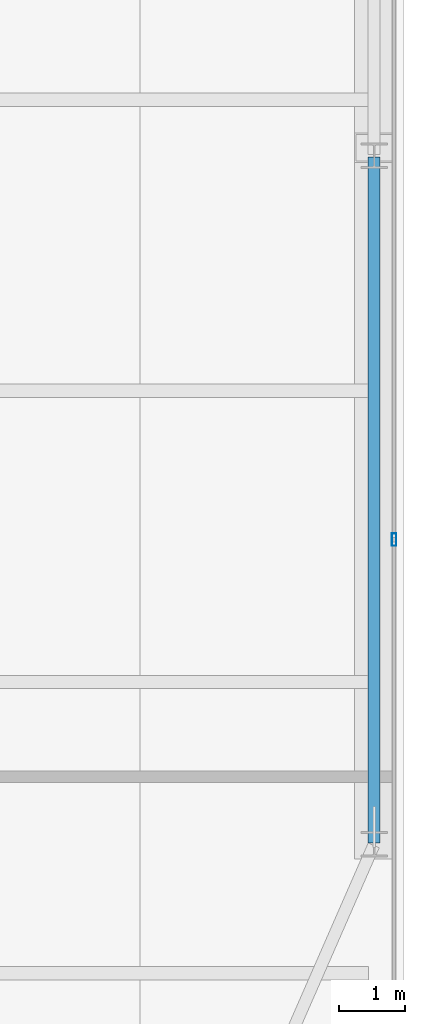
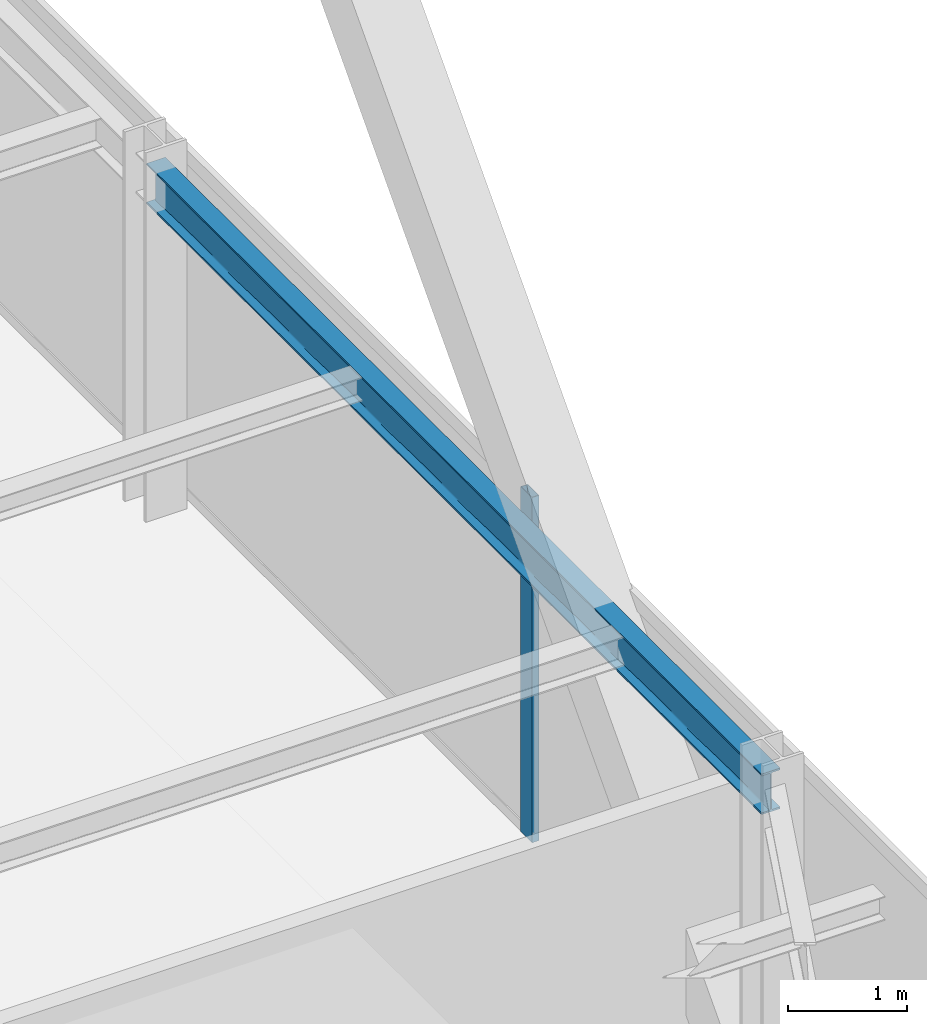
# One storey, part 20 of 38: 1 beam, 1 member, 1 element without a shape of its own.
"""IFC4 building model written with IfcOpenShell, lengths in metres."""

import ifcopenshell
import ifcopenshell.guid

model = None  # the IFC model being written
_history = None  # IfcOwnerHistory: only IFC2X3 demands one
_inside = {}  # id of a spatial element -> (the spatial element, [elements in it])
_under = {}  # id of a project, library or spatial element -> (it, [spatial elements below it])
_declared = {}  # id of a project -> (the project, [libraries it declares])
_typed = {}  # id of a type object -> (the type object, [elements of that type])
_made_of = {}  # id of a material, layer set ... -> (it, [elements and type objects made of it])


def new_model(schema):
    """Start an empty IFC model of exactly this schema.

    Asked for "IFC4X3", IfcOpenShell would pick the latest addendum, in which some entities
    have other attributes; the version numbers below select the first issue.
    IFC2X3 requires an IfcOwnerHistory on every rooted entity: one is made here for all.
    """
    global model, _history
    if schema == "IFC4X3":
        model = ifcopenshell.file(schema_version=(4, 3, 0, 0))
    else:
        model = ifcopenshell.file(schema=schema)
    _inside.clear()
    _under.clear()
    _declared.clear()
    _typed.clear()
    _made_of.clear()
    _history = None
    if model.schema == "IFC2X3":
        org = make("IfcOrganization", Name="unknown")
        user = make(
            "IfcPersonAndOrganization",
            ThePerson=make("IfcPerson", FamilyName="unknown"),
            TheOrganization=org,
        )
        app = make(
            "IfcApplication",
            ApplicationDeveloper=org,
            Version="unknown",
            ApplicationFullName="unknown",
            ApplicationIdentifier="unknown",
        )
        _history = make(
            "IfcOwnerHistory",
            OwningUser=user,
            OwningApplication=app,
            ChangeAction="ADDED",
            CreationDate=0,
        )
    return model


def make(cls, **values):
    """One entity of the class cls with the attributes given. An attribute that is None is left unset."""
    return model.create_entity(
        cls, **{name: value for name, value in values.items() if value is not None}
    )


def rooted(cls, **values):
    """An entity with a GlobalId (a new one), such as an element, a storey or a relation."""
    return make(cls, GlobalId=ifcopenshell.guid.new(), OwnerHistory=_history, **values)


def si_unit(unit_type, name, prefix=None):
    """IfcSIUnit, for example si_unit("LENGTHUNIT", "METRE", prefix="MILLI")."""
    return make("IfcSIUnit", UnitType=unit_type, Prefix=prefix, Name=name)


def assignment(units):
    """IfcUnitAssignment: the units of a project."""
    return None if units is None else make("IfcUnitAssignment", Units=units)


def point(xyz):
    """IfcCartesianPoint."""
    return None if xyz is None else make("IfcCartesianPoint", Coordinates=xyz)


def direction(xyz):
    """IfcDirection."""
    return None if xyz is None else make("IfcDirection", DirectionRatios=xyz)


def frame(location, z_axis=None, x_axis=None):
    """IfcAxis2Placement3D, a coordinate frame: its origin and axes. An axis left out is left unset."""
    return make(
        "IfcAxis2Placement3D",
        Location=point(location),
        Axis=direction(z_axis),
        RefDirection=direction(x_axis),
    )


def frame_2d(location, x_axis=None):
    """IfcAxis2Placement2D, a coordinate frame in the plane: its origin and x axis."""
    return make(
        "IfcAxis2Placement2D", Location=point(location), RefDirection=direction(x_axis)
    )


def origin():
    """The frame at (0, 0, 0) with its axes left unset."""
    return frame((0.0, 0.0, 0.0))


def origin_2d():
    """The frame at (0, 0) in the plane with its x axis left unset."""
    return frame_2d((0.0, 0.0))


def place(relative_to, where):
    """IfcLocalPlacement: puts the frame where relative to a parent placement (None: the world)."""
    return make(
        "IfcLocalPlacement", PlacementRelTo=relative_to, RelativePlacement=where
    )


def context(
    kind, dimensions, precision=None, world=None, true_north=None, identifier=None
):
    """IfcGeometricRepresentationContext, for example the 3D "Model" context."""
    return make(
        "IfcGeometricRepresentationContext",
        ContextIdentifier=identifier,
        ContextType=kind,
        CoordinateSpaceDimension=dimensions,
        Precision=precision,
        WorldCoordinateSystem=world,
        TrueNorth=true_north,
    )


def subcontext(parent, identifier, kind, view, scale=None):
    """IfcGeometricRepresentationSubContext, for example "Body" below "Model"."""
    return make(
        "IfcGeometricRepresentationSubContext",
        ContextIdentifier=identifier,
        ContextType=kind,
        ParentContext=parent,
        TargetScale=scale,
        TargetView=view,
    )


def project(units=None, contexts=None):
    """IfcProject with its units and contexts."""
    return rooted(
        "IfcProject",
        Name="project",
        RepresentationContexts=contexts,
        UnitsInContext=assignment(units),
    )


def spatial(cls, under=None, at=None, **own):
    """A site, building, storey or space (cls), placed at a placement, below another one or the project."""
    s = rooted(cls, ObjectPlacement=at, **own)
    if under is not None:
        _under.setdefault(under.id(), (under, []))[1].append(s)
    return s


def profile(cls, at=None, kind="AREA", **sizes):
    """A parametric profile (cls). Its sizes go by their IFC names, for example OverallWidth=200.0."""
    return make(cls, ProfileType=kind, Position=at, **sizes)


def hollow_rectangle(**sizes):
    """IfcRectangleHollowProfileDef."""
    return profile("IfcRectangleHollowProfileDef", **sizes)


def i_section(**sizes):
    """IfcIShapeProfileDef."""
    return profile("IfcIShapeProfileDef", **sizes)


def extrude(swept, where, along, depth):
    """IfcExtrudedAreaSolid: the profile swept, set in the frame where, extruded along a direction by depth."""
    return make(
        "IfcExtrudedAreaSolid",
        SweptArea=swept,
        Position=where,
        ExtrudedDirection=direction(along),
        Depth=depth,
    )


def shape(context_of_items, identifier, shape_type, items):
    """IfcShapeRepresentation: the items that make up one representation, for example the "Body"."""
    return make(
        "IfcShapeRepresentation",
        ContextOfItems=context_of_items,
        RepresentationIdentifier=identifier,
        RepresentationType=shape_type,
        Items=items,
    )


def source(mapping_origin, context_of_items, identifier, shape_type, items):
    """IfcRepresentationMap: a shape defined once, which mapped items show again and again."""
    return make(
        "IfcRepresentationMap",
        MappingOrigin=mapping_origin,
        MappedRepresentation=shape(context_of_items, identifier, shape_type, items),
    )


def transform(
    local_origin,
    x_axis=None,
    y_axis=None,
    z_axis=None,
    scale=None,
    scale2=None,
    scale3=None,
    uniform=True,
):
    """IfcCartesianTransformationOperator3D, or its non-uniform kind. x_axis, y_axis, z_axis: its Axis1, 2, 3."""
    if uniform:
        return make(
            "IfcCartesianTransformationOperator3D",
            Axis1=direction(x_axis),
            Axis2=direction(y_axis),
            LocalOrigin=point(local_origin),
            Scale=scale,
            Axis3=direction(z_axis),
        )
    return make(
        "IfcCartesianTransformationOperator3DnonUniform",
        Axis1=direction(x_axis),
        Axis2=direction(y_axis),
        LocalOrigin=point(local_origin),
        Scale=scale,
        Axis3=direction(z_axis),
        Scale2=scale2,
        Scale3=scale3,
    )


def mapped(mapping_source, mapping_target):
    """IfcMappedItem: shows the shape of a source again, moved by a transform."""
    return make(
        "IfcMappedItem", MappingSource=mapping_source, MappingTarget=mapping_target
    )


def material(Name=None, Category=None):
    """IfcMaterial."""
    return make("IfcMaterial", Name=Name, Category=Category)


def layer(
    of_material, thickness, ventilated=None, Name=None, Category=None, Priority=None
):
    """IfcMaterialLayer: one layer of a wall or slab, of a material (None: an air gap)."""
    return make(
        "IfcMaterialLayer",
        Material=of_material,
        LayerThickness=thickness,
        IsVentilated=ventilated,
        Name=Name,
        Category=Category,
        Priority=Priority,
    )


def layer_set(layers, Name=None):
    """IfcMaterialLayerSet."""
    return make("IfcMaterialLayerSet", MaterialLayers=layers, LayerSetName=Name)


def material_profile(
    of_material, cross_section, Name=None, Category=None, Priority=None
):
    """IfcMaterialProfile: a cross section and its material."""
    return make(
        "IfcMaterialProfile",
        Name=Name,
        Material=of_material,
        Profile=cross_section,
        Priority=Priority,
        Category=Category,
    )


def profile_set(profiles, Name=None, composite=None):
    """IfcMaterialProfileSet."""
    return make(
        "IfcMaterialProfileSet",
        Name=Name,
        MaterialProfiles=profiles,
        CompositeProfile=composite,
    )


def made_of(thing, what):
    """Note that an element or type object is made of a material, layer set ...; save() writes the relation."""
    if what is not None:
        _made_of.setdefault(what.id(), (what, []))[1].append(thing)
    return thing


def type_object(cls, material=None, **own):
    """A type object (cls), such as IfcWallType, which elements share."""
    return made_of(rooted(cls, **own), material)


def type_shapes(of_type, sources):
    """Give a type object the sources (RepresentationMaps) that its elements show as mapped items."""
    of_type.RepresentationMaps = sources


def element(
    cls,
    number,
    at=None,
    inside=None,
    cuts=None,
    type_object=None,
    material=None,
    context=None,
    identifier="Body",
    shape_type=None,
    held_by="IfcProductDefinitionShape",
    body=None,
    shapes=None,
    **own,
):
    """One element of the class cls, such as IfcWall. Its Tag is "e" and its number.

    at: its placement. inside: the storey or other place that contains it. cuts: it is an
    opening in that element (IfcRelVoidsElement). A single representation is given by context,
    identifier, shape_type and body (its items); several are given by shapes. held_by: the class
    of the entity that holds the representations. save() writes the other relations.
    """
    e = rooted(cls, Tag="e%d" % number, ObjectPlacement=at, **own)
    if body is not None:
        shapes = [shape(context, identifier, shape_type, body)]
    if shapes is not None:
        e.Representation = make(held_by, Representations=shapes)
    if inside is not None:
        _inside.setdefault(inside.id(), (inside, []))[1].append(e)
    if cuts is not None:
        rooted(
            "IfcRelVoidsElement", RelatingBuildingElement=cuts, RelatedOpeningElement=e
        )
    if type_object is not None:
        _typed.setdefault(type_object.id(), (type_object, []))[1].append(e)
    return made_of(e, material)


def aggregate(whole, parts):
    """IfcRelAggregates: a whole, such as a stair, and the parts it consists of."""
    return rooted("IfcRelAggregates", RelatingObject=whole, RelatedObjects=parts)


def save(model, path):
    """Write the relations noted so far, then the file.

    IfcRelAggregates (storeys below a building ...), IfcRelContainedInSpatialStructure (elements
    in a storey), IfcRelDefinesByType, IfcRelAssociatesMaterial and IfcRelDeclares: one each for
    every whole, place, type object, material and project.
    """
    for whole, parts in _under.values():
        aggregate(whole, parts)
    for where, things in _inside.values():
        rooted(
            "IfcRelContainedInSpatialStructure",
            RelatedElements=things,
            RelatingStructure=where,
        )
    for kind, things in _typed.values():
        rooted("IfcRelDefinesByType", RelatedObjects=things, RelatingType=kind)
    for what, things in _made_of.values():
        rooted("IfcRelAssociatesMaterial", RelatedObjects=things, RelatingMaterial=what)
    for by, libraries in _declared.values():
        rooted("IfcRelDeclares", RelatingContext=by, RelatedDefinitions=libraries)
    model.write(path)


model = new_model("IFC4")

# Units and contexts
model_context = context("Model", 3, precision=1e-05, world=origin(), true_north=direction((0.0, 1.0)))
body_context = subcontext(model_context, "Body", "Model", "MODEL_VIEW")
ifc_project = project(units=[si_unit("LENGTHUNIT", "METRE"), si_unit("AREAUNIT", "SQUARE_METRE"), si_unit("VOLUMEUNIT", "CUBIC_METRE"), si_unit("PLANEANGLEUNIT", "RADIAN"), si_unit("MASSUNIT", "GRAM", prefix="KILO")], contexts=[model_context])

# Site, building, storey
site_placement = place(None, origin())
site = spatial("IfcSite", under=ifc_project, at=site_placement, CompositionType="ELEMENT")
building_placement = place(site_placement, origin())
building = spatial("IfcBuilding", under=site, at=building_placement, Name="Varnel Quay Broadcast Tower", CompositionType="ELEMENT")
storey_placement = place(building_placement, frame((0.0, 0.0, 118.199951171875)))
storey = spatial("IfcBuildingStorey", under=building, at=storey_placement, Name="L28", CompositionType="ELEMENT", Elevation=118.199951171875)

# Beam
ifc_material_1 = material(Name="Structural Steel CSA G40.21 350W", Category="steel")
ifc_material_profile_1 = material_profile(ifc_material_1, i_section(OverallWidth=0.180908203125, OverallDepth=0.4169921875, WebThickness=0.010986328125, FlangeThickness=0.018310546875, FilletRadius=0.011962890625, at=origin_2d()), Name="W410X85")
ifc_profile_set_1 = profile_set([ifc_material_profile_1], Name="Structural Steel CSA G40.21 350W")
beam_type = type_object("IfcBeamType", Name="Beam_W410X85", PredefinedType="SPANDREL", material=ifc_profile_set_1)
shared_shape_1 = source(origin(), body_context, "Body", "SweptSolid", [
    extrude(i_section(OverallWidth=0.180908203125, OverallDepth=0.4169921875, WebThickness=0.010986328125, FlangeThickness=0.018310546875, FilletRadius=0.011962890625, at=origin_2d()), origin(), (0.0, 0.0, 1.0), 10.35986328125),
])
type_shapes(beam_type, [shared_shape_1])
beam_placement = place(storey_placement, frame((63.050048828125, 15.02001953125, 3.341552734375), z_axis=(0.0, 1.0, 0.0), x_axis=(-1.0, 0.0, 0.0)))
element("IfcBeam", 1, at=beam_placement, inside=storey, type_object=beam_type, Name="L28 East Spandrel TC-E1-TC-E2", PredefinedType="SPANDREL", context=body_context, shape_type="MappedRepresentation", body=[
    mapped(shared_shape_1, transform((0.0, 0.0, 0.0), x_axis=(1.0, 0.0, 0.0), y_axis=(0.0, 1.0, 0.0), z_axis=(0.0, 0.0, 1.0), scale=1.0)),
])

# Curtain wall, member
ifc_material_2 = material(Name="Anodised Bronze Aluminium 6063-T6", Category="aluminium")
ifc_layer = layer(ifc_material_2, 0.18994140625, Name="Anodised Bronze Aluminium 6063-T6")
ifc_layer_set = layer_set([ifc_layer], Name="Anodised Bronze Aluminium 6063-T6")
curtain_wall_type = type_object("IfcCurtainWallType", Name="CW_LowerTower", PredefinedType="NOTDEFINED", material=ifc_layer_set)
curtain_wall_placement = place(storey_placement, origin())
curtain_wall = element("IfcCurtainWall", 2, at=curtain_wall_placement, inside=storey, type_object=curtain_wall_type, Name="L28 East Unitised Curtain Wall", PredefinedType="NOTDEFINED")
ifc_material_profile_2 = material_profile(ifc_material_2, hollow_rectangle(XDim=0.070068359375, YDim=0.18994140625, WallThickness=0.00390625, at=origin_2d()), Name="ALU70X190X4")
ifc_profile_set_2 = profile_set([ifc_material_profile_2], Name="Anodised Bronze Aluminium 6063-T6")
member_type = type_object("IfcMemberType", Name="Mull_CWS-02", PredefinedType="MULLION", material=ifc_profile_set_2)
shared_shape_2 = source(origin(), body_context, "Body", "SweptSolid", [
    extrude(hollow_rectangle(XDim=0.070068359375, YDim=0.18994140625, WallThickness=0.00390625, at=origin_2d()), origin(), (0.0, 0.0, 1.0), 3.550048828125),
])
type_shapes(member_type, [shared_shape_2])
member_placement = place(storey_placement, frame((63.35009765625, 19.60009765625, 0.0), z_axis=(0.0, 0.0, 1.0), x_axis=(-1.0, 0.0, 0.0)))
member = element("IfcMember", 3, at=member_placement, type_object=member_type, Name="CWS-02 mullion 2", PredefinedType="MULLION", context=body_context, shape_type="MappedRepresentation", body=[
    mapped(shared_shape_2, transform((0.0, 0.0, 0.0), x_axis=(1.0, 0.0, 0.0), y_axis=(0.0, 1.0, 0.0), z_axis=(0.0, 0.0, 1.0), scale=1.0)),
])
aggregate(curtain_wall, [member])

save(model, "model.ifc")
